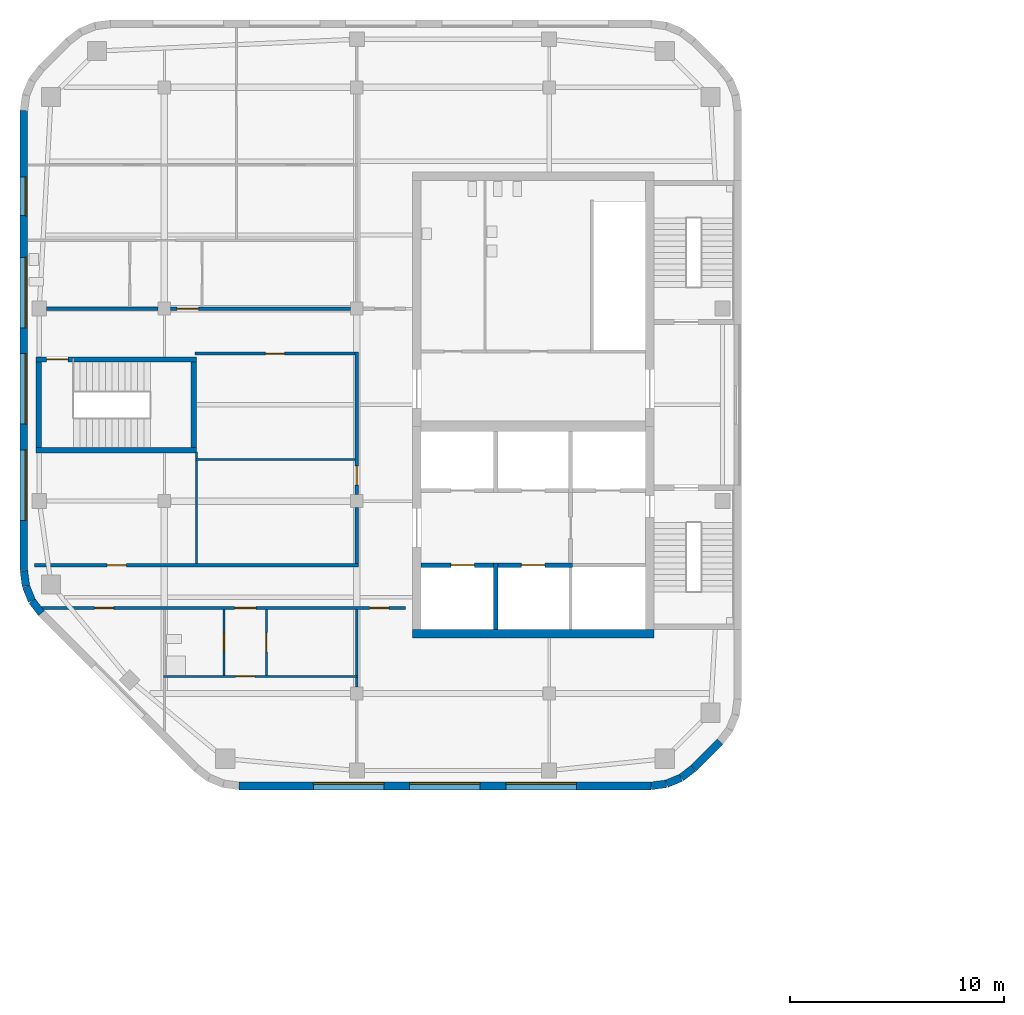
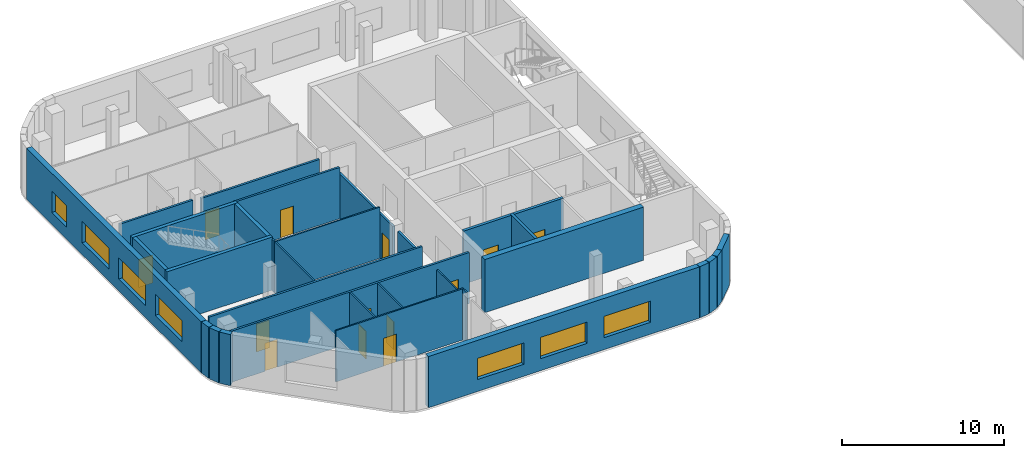
# One storey, part 5 of 14: 32 walls, 13 doors, 7 windows, 20 openings.
"""IFC4 building model written with IfcOpenShell, lengths in metres."""

from ifc_helpers import new_model, si_unit, direction, frame, frame_2d, origin, place, context, subcontext, project, spatial, rectangle, extrude, material, layer, layer_set, type_object, element, fill, save


model = new_model("IFC4")

# Units and contexts
model_context = context("Model", 3, precision=1e-05, world=origin(), true_north=direction((0.0, 1.0)))
body_context = subcontext(model_context, "Body", "Model", "MODEL_VIEW")
ifc_project = project(units=[si_unit("LENGTHUNIT", "METRE"), si_unit("AREAUNIT", "SQUARE_METRE"), si_unit("VOLUMEUNIT", "CUBIC_METRE"), si_unit("PLANEANGLEUNIT", "RADIAN"), si_unit("MASSUNIT", "GRAM", prefix="KILO")], contexts=[model_context])

# Site, building, storey
site_placement = place(None, origin())
site = spatial("IfcSite", under=ifc_project, at=site_placement, CompositionType="ELEMENT")
building_placement = place(site_placement, origin())
building = spatial("IfcBuilding", under=site, at=building_placement, Name="Cinnabar Reach Civic Tower", CompositionType="ELEMENT")
storey_placement = place(building_placement, frame((0.0, 0.0, 116.0)))
storey = spatial("IfcBuildingStorey", under=building, at=storey_placement, Name="L27", CompositionType="ELEMENT", Elevation=116.0)

# Walls
ifc_material_1 = material(Name="Facing brick with insulated backing", Category="masonry")
ifc_layer_1 = layer(ifc_material_1, 0.36)
ifc_layer_set_1 = layer_set([ifc_layer_1], Name="Brick corner wall")
wall_type_1 = type_object("IfcWallType", Name="Brick corner wall", PredefinedType="STANDARD", material=ifc_layer_set_1)
for number, where, z_axis, x_axis, name in (
    (1, (-31.2314, 13.683, 0.0), (0.0, 0.0, 1.0), (0.99144092581, 0.13055608231, 0.0), "Brick corner wall"),
    (2, (-30.5027, 13.7819, 0.0), (0.0, 0.0, 1.0), (0.923871547278, 0.382702709855, 0.0), "Brick corner wall"),
):
    element("IfcWall", number, at=place(storey_placement, frame(where, z_axis=z_axis, x_axis=x_axis)), inside=storey, type_object=wall_type_1, Name=name, PredefinedType="STANDARD", context=body_context, shape_type="SweptSolid", body=[
        extrude(rectangle(XDim=0.7131, YDim=0.36, at=frame_2d((0.3565, 0.0))), origin(), (0.0, 0.0, 1.0), 3.85),
    ])
wall_1_placement = place(storey_placement, frame((-29.8245, 14.066, 0.0), z_axis=(0.0, 0.0, 1.0), x_axis=(0.793321924995, 0.608802368033, 0.0)))
element("IfcWall", 3, at=wall_1_placement, inside=storey, type_object=wall_type_1, Name="Brick corner wall", PredefinedType="STANDARD", context=body_context, shape_type="SweptSolid", body=[
    extrude(rectangle(XDim=0.7132, YDim=0.36, at=frame_2d((0.3566, 0.0))), origin(), (0.0, 0.0, 1.0), 3.85),
])
for number, where, z_axis, x_axis, name in (
    (4, (-60.567, 23.7314, 0.0), (0.0, 0.0, 1.0), (0.13055608231, -0.99144092581, 0.0), "Brick corner wall"),
    (5, (-60.4681, 23.0027, 0.0), (0.0, 0.0, 1.0), (0.382702709855, -0.923871547278, 0.0), "Brick corner wall"),
):
    element("IfcWall", number, at=place(storey_placement, frame(where, z_axis=z_axis, x_axis=x_axis)), inside=storey, type_object=wall_type_1, Name=name, PredefinedType="STANDARD", context=body_context, shape_type="SweptSolid", body=[
        extrude(rectangle(XDim=0.7131, YDim=0.36, at=frame_2d((0.3565, 0.0))), origin(), (0.0, 0.0, 1.0), 3.85),
    ])
wall_2_placement = place(storey_placement, frame((-60.184, 22.3245, 0.0), z_axis=(0.0, 0.0, 1.0), x_axis=(0.608802368033, -0.793321924995, 0.0)))
element("IfcWall", 6, at=wall_2_placement, inside=storey, type_object=wall_type_1, Name="Brick corner wall", PredefinedType="STANDARD", context=body_context, shape_type="SweptSolid", body=[
    extrude(rectangle(XDim=0.7132, YDim=0.36, at=frame_2d((0.3566, 0.0))), origin(), (0.0, 0.0, 1.0), 3.85),
])

# Wall, openings, windows
ifc_layer_2 = layer(ifc_material_1, 0.36)
ifc_layer_set_2 = layer_set([ifc_layer_2], Name="Brick pier and spandrel wall")
wall_type_2 = type_object("IfcWallType", Name="Brick pier and spandrel wall", PredefinedType="STANDARD", material=ifc_layer_set_2)
wall_3_placement = place(storey_placement, frame((-50.5074, 13.68, 0.0), z_axis=(0.0, 0.0, 1.0), x_axis=(1.0, 0.0, 0.0)))
wall_3 = element("IfcWall", 7, at=wall_3_placement, inside=storey, type_object=wall_type_2, Name="Brick facade wall", PredefinedType="STANDARD", context=body_context, shape_type="SweptSolid", body=[
    extrude(rectangle(XDim=19.2648, YDim=0.36, at=frame_2d((9.6324, 0.0))), origin(), (0.0, 0.0, 1.0), 3.85),
])
opening_1_placement = place(wall_3_placement, frame((3.4824, 0.0, 0.9)))
opening_1 = element("IfcOpeningElement", 8, at=opening_1_placement, cuts=wall_3, Name="Opening W2723", PredefinedType="OPENING", context=body_context, shape_type="SweptSolid", body=[
    extrude(rectangle(XDim=3.3, YDim=1.6, at=frame_2d((1.65, 0.8))), frame((0.0, 0.19, 0.0), z_axis=(0.0, -1.0, 0.0), x_axis=(1.0, 0.0, 0.0)), (0.0, 0.0, 1.0), 0.38),
])
opening_2_placement = place(wall_3_placement, frame((7.9824, 0.0, 0.9)))
opening_2 = element("IfcOpeningElement", 9, at=opening_2_placement, cuts=wall_3, Name="Opening W2724", PredefinedType="OPENING", context=body_context, shape_type="SweptSolid", body=[
    extrude(rectangle(XDim=3.3, YDim=1.6, at=frame_2d((1.65, 0.8))), frame((0.0, 0.19, 0.0), z_axis=(0.0, -1.0, 0.0), x_axis=(1.0, 0.0, 0.0)), (0.0, 0.0, 1.0), 0.38),
])
opening_3_placement = place(wall_3_placement, frame((12.4824, 0.0, 0.9)))
opening_3 = element("IfcOpeningElement", 10, at=opening_3_placement, cuts=wall_3, Name="Opening W2725", PredefinedType="OPENING", context=body_context, shape_type="SweptSolid", body=[
    extrude(rectangle(XDim=3.3, YDim=1.6, at=frame_2d((1.65, 0.8))), frame((0.0, 0.19, 0.0), z_axis=(0.0, -1.0, 0.0), x_axis=(1.0, 0.0, 0.0)), (0.0, 0.0, 1.0), 0.38),
])
ifc_material_2 = material(Name="Clear double glazing in aluminium frame", Category="aluminium")
window_type_1 = type_object("IfcWindowType", Name="Deep-set window A", PartitioningType="SINGLE_PANEL", PredefinedType="WINDOW", material=ifc_material_2)
window_1_placement = place(opening_1_placement, origin())
window_1 = element("IfcWindow", 11, at=window_1_placement, inside=storey, type_object=window_type_1, Name="Window south face", OverallHeight=1.6, OverallWidth=3.3, PartitioningType="SINGLE_PANEL", PredefinedType="WINDOW", context=body_context, shape_type="SweptSolid", body=[
    extrude(rectangle(XDim=3.3, YDim=1.6, at=frame_2d((1.65, 0.8))), frame((0.0, 0.13, 0.0), z_axis=(0.0, -1.0, 0.0), x_axis=(1.0, 0.0, 0.0)), (0.0, 0.0, 1.0), 0.06),
])
fill(opening_1, window_1)
window_2_placement = place(opening_2_placement, origin())
window_2 = element("IfcWindow", 12, at=window_2_placement, inside=storey, type_object=window_type_1, Name="Window south face", OverallHeight=1.6, OverallWidth=3.3, PartitioningType="SINGLE_PANEL", PredefinedType="WINDOW", context=body_context, shape_type="SweptSolid", body=[
    extrude(rectangle(XDim=3.3, YDim=1.6, at=frame_2d((1.65, 0.8))), frame((0.0, 0.13, 0.0), z_axis=(0.0, -1.0, 0.0), x_axis=(1.0, 0.0, 0.0)), (0.0, 0.0, 1.0), 0.06),
])
fill(opening_2, window_2)
window_3_placement = place(opening_3_placement, origin())
window_3 = element("IfcWindow", 13, at=window_3_placement, inside=storey, type_object=window_type_1, Name="Window south face", OverallHeight=1.6, OverallWidth=3.3, PartitioningType="SINGLE_PANEL", PredefinedType="WINDOW", context=body_context, shape_type="SweptSolid", body=[
    extrude(rectangle(XDim=3.3, YDim=1.6, at=frame_2d((1.65, 0.8))), frame((0.0, 0.13, 0.0), z_axis=(0.0, -1.0, 0.0), x_axis=(1.0, 0.0, 0.0)), (0.0, 0.0, 1.0), 0.06),
])
fill(opening_3, window_3)

# Wall
wall_4_placement = place(storey_placement, frame((-29.2486, 14.506, 0.0), z_axis=(0.0, 0.0, 1.0), x_axis=(0.707106781187, 0.707106781187, 0.0)))
element("IfcWall", 14, at=wall_4_placement, inside=storey, type_object=wall_type_2, Name="Brick facade wall", PredefinedType="STANDARD", context=body_context, shape_type="SweptSolid", body=[
    extrude(rectangle(XDim=1.7573, YDim=0.36, at=frame_2d((0.8787, 0.0))), origin(), (0.0, 0.0, 1.0), 3.85),
])

# Wall, openings, windows
wall_5_placement = place(storey_placement, frame((-60.57, 45.2574, 0.0), z_axis=(0.0, 0.0, 1.0), x_axis=(0.0, -1.0, 0.0)))
wall_5 = element("IfcWall", 15, at=wall_5_placement, inside=storey, type_object=wall_type_2, Name="Brick facade wall", PredefinedType="STANDARD", context=body_context, shape_type="SweptSolid", body=[
    extrude(rectangle(XDim=21.5148, YDim=0.36, at=frame_2d((10.7574, 0.0))), origin(), (0.0, 0.0, 1.0), 3.85),
])
opening_4_placement = place(wall_5_placement, frame((3.1074, 0.0, 0.9)))
opening_4 = element("IfcOpeningElement", 16, at=opening_4_placement, cuts=wall_5, Name="Opening W2732", PredefinedType="OPENING", context=body_context, shape_type="SweptSolid", body=[
    extrude(rectangle(XDim=1.8, YDim=1.6, at=frame_2d((0.9, 0.8))), frame((0.0, 0.19, 0.0), z_axis=(0.0, -1.0, 0.0), x_axis=(1.0, 0.0, 0.0)), (0.0, 0.0, 1.0), 0.38),
])
opening_5_placement = place(wall_5_placement, frame((6.8574, 0.0, 0.9)))
opening_5 = element("IfcOpeningElement", 17, at=opening_5_placement, cuts=wall_5, Name="Opening W2733", PredefinedType="OPENING", context=body_context, shape_type="SweptSolid", body=[
    extrude(rectangle(XDim=3.3, YDim=1.6, at=frame_2d((1.65, 0.8))), frame((0.0, 0.19, 0.0), z_axis=(0.0, -1.0, 0.0), x_axis=(1.0, 0.0, 0.0)), (0.0, 0.0, 1.0), 0.38),
])
opening_6_placement = place(wall_5_placement, frame((11.3574, 0.0, 0.9)))
opening_6 = element("IfcOpeningElement", 18, at=opening_6_placement, cuts=wall_5, Name="Opening W2734", PredefinedType="OPENING", context=body_context, shape_type="SweptSolid", body=[
    extrude(rectangle(XDim=3.3, YDim=1.6, at=frame_2d((1.65, 0.8))), frame((0.0, 0.19, 0.0), z_axis=(0.0, -1.0, 0.0), x_axis=(1.0, 0.0, 0.0)), (0.0, 0.0, 1.0), 0.38),
])
opening_7_placement = place(wall_5_placement, frame((15.8574, 0.0, 0.9)))
opening_7 = element("IfcOpeningElement", 19, at=opening_7_placement, cuts=wall_5, Name="Opening W2735", PredefinedType="OPENING", context=body_context, shape_type="SweptSolid", body=[
    extrude(rectangle(XDim=3.3, YDim=1.6, at=frame_2d((1.65, 0.8))), frame((0.0, 0.19, 0.0), z_axis=(0.0, -1.0, 0.0), x_axis=(1.0, 0.0, 0.0)), (0.0, 0.0, 1.0), 0.38),
])
window_4_placement = place(opening_5_placement, origin())
window_4 = element("IfcWindow", 20, at=window_4_placement, inside=storey, type_object=window_type_1, Name="Window west face", OverallHeight=1.6, OverallWidth=3.3, PartitioningType="SINGLE_PANEL", PredefinedType="WINDOW", context=body_context, shape_type="SweptSolid", body=[
    extrude(rectangle(XDim=3.3, YDim=1.6, at=frame_2d((1.65, 0.8))), frame((0.0, 0.13, 0.0), z_axis=(0.0, -1.0, 0.0), x_axis=(1.0, 0.0, 0.0)), (0.0, 0.0, 1.0), 0.06),
])
fill(opening_5, window_4)
window_5_placement = place(opening_6_placement, origin())
window_5 = element("IfcWindow", 21, at=window_5_placement, inside=storey, type_object=window_type_1, Name="Window west face", OverallHeight=1.6, OverallWidth=3.3, PartitioningType="SINGLE_PANEL", PredefinedType="WINDOW", context=body_context, shape_type="SweptSolid", body=[
    extrude(rectangle(XDim=3.3, YDim=1.6, at=frame_2d((1.65, 0.8))), frame((0.0, 0.13, 0.0), z_axis=(0.0, -1.0, 0.0), x_axis=(1.0, 0.0, 0.0)), (0.0, 0.0, 1.0), 0.06),
])
fill(opening_6, window_5)
window_6_placement = place(opening_7_placement, origin())
window_6 = element("IfcWindow", 22, at=window_6_placement, inside=storey, type_object=window_type_1, Name="Window west face", OverallHeight=1.6, OverallWidth=3.3, PartitioningType="SINGLE_PANEL", PredefinedType="WINDOW", context=body_context, shape_type="SweptSolid", body=[
    extrude(rectangle(XDim=3.3, YDim=1.6, at=frame_2d((1.65, 0.8))), frame((0.0, 0.13, 0.0), z_axis=(0.0, -1.0, 0.0), x_axis=(1.0, 0.0, 0.0)), (0.0, 0.0, 1.0), 0.06),
])
fill(opening_7, window_6)
window_type_2 = type_object("IfcWindowType", Name="Deep-set window D", PartitioningType="SINGLE_PANEL", PredefinedType="WINDOW", material=ifc_material_2)
window_7_placement = place(opening_4_placement, origin())
window_7 = element("IfcWindow", 23, at=window_7_placement, inside=storey, type_object=window_type_2, Name="Window west face", OverallHeight=1.6, OverallWidth=1.8, PartitioningType="SINGLE_PANEL", PredefinedType="WINDOW", context=body_context, shape_type="SweptSolid", body=[
    extrude(rectangle(XDim=1.8, YDim=1.6, at=frame_2d((0.9, 0.8))), frame((0.0, 0.13, 0.0), z_axis=(0.0, -1.0, 0.0), x_axis=(1.0, 0.0, 0.0)), (0.0, 0.0, 1.0), 0.06),
])
fill(opening_4, window_7)

# Wall
ifc_material_3 = material(Name="Concrete C60", Category="concrete")
ifc_layer_3 = layer(ifc_material_3, 0.4)
ifc_layer_set_3 = layer_set([ifc_layer_3], Name="Core wall 400 EI 180")
wall_type_3 = type_object("IfcWallType", Name="Core wall 400 EI 180", PredefinedType="SOLIDWALL", material=ifc_layer_set_3)
wall_6_placement = place(storey_placement, frame((-42.4, 20.8, 0.0), z_axis=(0.0, 0.0, 1.0), x_axis=(1.0, 0.0, 0.0)))
element("IfcWall", 24, at=wall_6_placement, inside=storey, type_object=wall_type_3, Name="Core wall T2 L27 S", PredefinedType="SOLIDWALL", context=body_context, shape_type="SweptSolid", body=[
    extrude(rectangle(XDim=11.3, YDim=0.4, at=frame_2d((5.65, 0.0))), origin(), (0.0, 0.0, 1.0), 4.0),
])

# Wall, opening, door
ifc_material_4 = material(Name="Gypsum board on steel studs, double layer", Category="steel")
ifc_layer_4 = layer(ifc_material_4, 0.15)
ifc_layer_set_4 = layer_set([ifc_layer_4], Name="Corridor wall 150 T2")
wall_type_4 = type_object("IfcWallType", Name="Corridor wall 150 T2", PredefinedType="PARTITIONING", material=ifc_layer_set_4)
wall_7_placement = place(storey_placement, frame((-53.7, 36.0, 0.0), z_axis=(0.0, 0.0, 1.0), x_axis=(1.0, 0.0, 0.0)))
wall_7 = element("IfcWall", 25, at=wall_7_placement, inside=storey, type_object=wall_type_4, Name="Corridor wall 2", PredefinedType="PARTITIONING", context=body_context, shape_type="SweptSolid", body=[
    extrude(rectangle(XDim=8.4, YDim=0.15, at=frame_2d((4.2, 0.0))), origin(), (0.0, 0.0, 1.0), 3.262),
])
opening_8_placement = place(wall_7_placement, frame((0.3, 0.0, 0.0)))
opening_8 = element("IfcOpeningElement", 26, at=opening_8_placement, cuts=wall_7, Name="Opening D7003", PredefinedType="OPENING", context=body_context, shape_type="SweptSolid", body=[
    extrude(rectangle(XDim=1.0, YDim=2.1, at=frame_2d((0.5, 1.05))), frame((0.0, 0.085, 0.0), z_axis=(0.0, -1.0, 0.0), x_axis=(1.0, 0.0, 0.0)), (0.0, 0.0, 1.0), 0.17),
])
ifc_material_5 = material(Name="Timber door leaf in steel frame", Category="steel")
door_type_1 = type_object("IfcDoorType", Name="Tenancy entrance door 1000 x 2100 T2", OperationType="SINGLE_SWING_LEFT", PredefinedType="DOOR", material=ifc_material_5)
door_1_placement = place(opening_8_placement, origin())
door_1 = element("IfcDoor", 27, at=door_1_placement, inside=storey, type_object=door_type_1, Name="Door D7003", OperationType="SINGLE_SWING_RIGHT", OverallHeight=2.1, OverallWidth=1.0, PredefinedType="DOOR", context=body_context, shape_type="SweptSolid", body=[
    extrude(rectangle(XDim=1.0, YDim=2.1, at=frame_2d((0.5, 1.05))), frame((0.0, 0.025, 0.0), z_axis=(0.0, -1.0, 0.0), x_axis=(1.0, 0.0, 0.0)), (0.0, 0.0, 1.0), 0.05),
])
fill(opening_8, door_1)

# Wall
wall_8_placement = place(storey_placement, frame((-59.5, 36.0, 0.0), z_axis=(0.0, 0.0, 1.0), x_axis=(1.0, 0.0, 0.0)))
element("IfcWall", 28, at=wall_8_placement, inside=storey, type_object=wall_type_4, Name="Corridor wall 3", PredefinedType="PARTITIONING", context=body_context, shape_type="SweptSolid", body=[
    extrude(rectangle(XDim=5.2, YDim=0.15, at=frame_2d((2.6, 0.0))), origin(), (0.0, 0.0, 1.0), 3.35),
])

# Wall, openings, doors
wall_9_placement = place(storey_placement, frame((-59.7657, 22.0, 0.0), z_axis=(0.0, 0.0, 1.0), x_axis=(1.0, 0.0, 0.0)))
wall_9 = element("IfcWall", 29, at=wall_9_placement, inside=storey, type_object=wall_type_4, Name="Corridor wall 4", PredefinedType="PARTITIONING", context=body_context, shape_type="SweptSolid", body=[
    extrude(rectangle(XDim=17.0407, YDim=0.15, at=frame_2d((8.5204, 0.0))), origin(), (0.0, 0.0, 1.0), 3.85),
])
opening_9_placement = place(wall_9_placement, frame((15.3657, 0.0, 0.0)))
opening_9 = element("IfcOpeningElement", 30, at=opening_9_placement, cuts=wall_9, Name="Opening D6991", PredefinedType="OPENING", context=body_context, shape_type="SweptSolid", body=[
    extrude(rectangle(XDim=0.9, YDim=2.1, at=frame_2d((0.45, 1.05))), frame((0.0, 0.085, 0.0), z_axis=(0.0, -1.0, 0.0), x_axis=(1.0, 0.0, 0.0)), (0.0, 0.0, 1.0), 0.17),
])
opening_10_placement = place(wall_9_placement, frame((2.5, 0.0, 0.0)))
opening_10 = element("IfcOpeningElement", 31, at=opening_10_placement, cuts=wall_9, Name="Opening D6992", PredefinedType="OPENING", context=body_context, shape_type="SweptSolid", body=[
    extrude(rectangle(XDim=0.9, YDim=2.1, at=frame_2d((0.45, 1.05))), frame((0.0, 0.085, 0.0), z_axis=(0.0, -1.0, 0.0), x_axis=(1.0, 0.0, 0.0)), (0.0, 0.0, 1.0), 0.17),
])
opening_11_placement = place(wall_9_placement, frame((9.0557, 0.0, 0.0)))
opening_11 = element("IfcOpeningElement", 32, at=opening_11_placement, cuts=wall_9, Name="Opening D6996", PredefinedType="OPENING", context=body_context, shape_type="SweptSolid", body=[
    extrude(rectangle(XDim=1.0, YDim=2.1, at=frame_2d((0.5, 1.05))), frame((0.0, 0.085, 0.0), z_axis=(0.0, -1.0, 0.0), x_axis=(1.0, 0.0, 0.0)), (0.0, 0.0, 1.0), 0.17),
])
door_type_2 = type_object("IfcDoorType", Name="Single swing door 900 x 2100 T2", OperationType="SINGLE_SWING_LEFT", PredefinedType="DOOR", material=ifc_material_5)
door_2_placement = place(opening_9_placement, frame((0.9, 0.0, 0.0), z_axis=(0.0, 0.0, 1.0), x_axis=(-1.0, 0.0, 0.0)))
door_2 = element("IfcDoor", 33, at=door_2_placement, inside=storey, type_object=door_type_2, Name="Door D6991", OperationType="SINGLE_SWING_RIGHT", OverallHeight=2.1, OverallWidth=0.9, PredefinedType="DOOR", context=body_context, shape_type="SweptSolid", body=[
    extrude(rectangle(XDim=0.9, YDim=2.1, at=frame_2d((0.45, 1.05))), frame((0.0, 0.025, 0.0), z_axis=(0.0, -1.0, 0.0), x_axis=(1.0, 0.0, 0.0)), (0.0, 0.0, 1.0), 0.05),
])
fill(opening_9, door_2)
door_3_placement = place(opening_10_placement, frame((0.9, 0.0, 0.0), z_axis=(0.0, 0.0, 1.0), x_axis=(-1.0, 0.0, 0.0)))
door_3 = element("IfcDoor", 34, at=door_3_placement, inside=storey, type_object=door_type_2, Name="Door D6992", OperationType="SINGLE_SWING_RIGHT", OverallHeight=2.1, OverallWidth=0.9, PredefinedType="DOOR", context=body_context, shape_type="SweptSolid", body=[
    extrude(rectangle(XDim=0.9, YDim=2.1, at=frame_2d((0.45, 1.05))), frame((0.0, 0.025, 0.0), z_axis=(0.0, -1.0, 0.0), x_axis=(1.0, 0.0, 0.0)), (0.0, 0.0, 1.0), 0.05),
])
fill(opening_10, door_3)
door_4_placement = place(opening_11_placement, frame((1.0, 0.0, 0.0), z_axis=(0.0, 0.0, 1.0), x_axis=(-1.0, 0.0, 0.0)))
door_4 = element("IfcDoor", 35, at=door_4_placement, inside=storey, type_object=door_type_1, Name="Door D6996", OperationType="SINGLE_SWING_LEFT", OverallHeight=2.1, OverallWidth=1.0, PredefinedType="DOOR", context=body_context, shape_type="SweptSolid", body=[
    extrude(rectangle(XDim=1.0, YDim=2.1, at=frame_2d((0.5, 1.05))), frame((0.0, 0.025, 0.0), z_axis=(0.0, -1.0, 0.0), x_axis=(1.0, 0.0, 0.0)), (0.0, 0.0, 1.0), 0.05),
])
fill(opening_11, door_4)

# Wall, opening, door
wall_10_placement = place(storey_placement, frame((-60.075, 24.0, 0.0), z_axis=(0.0, 0.0, 1.0), x_axis=(1.0, 0.0, 0.0)))
wall_10 = element("IfcWall", 36, at=wall_10_placement, inside=storey, type_object=wall_type_4, Name="Corridor wall 5", PredefinedType="PARTITIONING", context=body_context, shape_type="SweptSolid", body=[
    extrude(rectangle(XDim=15.15, YDim=0.15, at=frame_2d((7.575, 0.0))), origin(), (0.0, 0.0, 1.0), 3.85),
])
opening_12_placement = place(wall_10_placement, frame((3.4, 0.0, 0.0)))
opening_12 = element("IfcOpeningElement", 37, at=opening_12_placement, cuts=wall_10, Name="Opening D7004", PredefinedType="OPENING", context=body_context, shape_type="SweptSolid", body=[
    extrude(rectangle(XDim=0.9, YDim=2.1, at=frame_2d((0.45, 1.05))), frame((0.0, 0.085, 0.0), z_axis=(0.0, -1.0, 0.0), x_axis=(1.0, 0.0, 0.0)), (0.0, 0.0, 1.0), 0.17),
])
door_5_placement = place(opening_12_placement, origin())
door_5 = element("IfcDoor", 38, at=door_5_placement, inside=storey, type_object=door_type_2, Name="Door D7004", OperationType="SINGLE_SWING_RIGHT", OverallHeight=2.1, OverallWidth=0.9, PredefinedType="DOOR", context=body_context, shape_type="SweptSolid", body=[
    extrude(rectangle(XDim=0.9, YDim=2.1, at=frame_2d((0.45, 1.05))), frame((0.0, 0.025, 0.0), z_axis=(0.0, -1.0, 0.0), x_axis=(1.0, 0.0, 0.0)), (0.0, 0.0, 1.0), 0.05),
])
fill(opening_12, door_5)

# Wall
wall_11_placement = place(storey_placement, frame((-45.0, 24.075, 0.0), z_axis=(0.0, 0.0, 1.0), x_axis=(0.0, 1.0, 0.0)))
element("IfcWall", 39, at=wall_11_placement, inside=storey, type_object=wall_type_4, Name="Corridor wall 6", PredefinedType="PARTITIONING", context=body_context, shape_type="SweptSolid", body=[
    extrude(rectangle(XDim=2.625, YDim=0.15, at=frame_2d((1.3125, 0.0))), origin(), (0.0, 0.0, 1.0), 3.362),
])

# Wall, opening, door
wall_12_placement = place(storey_placement, frame((-45.0, 27.3, 0.0), z_axis=(0.0, 0.0, 1.0), x_axis=(0.0, 1.0, 0.0)))
wall_12 = element("IfcWall", 40, at=wall_12_placement, inside=storey, type_object=wall_type_4, Name="Corridor wall 7", PredefinedType="PARTITIONING", context=body_context, shape_type="SweptSolid", body=[
    extrude(rectangle(XDim=6.675, YDim=0.15, at=frame_2d((3.3375, 0.0))), origin(), (0.0, 0.0, 1.0), 3.362),
])
opening_13_placement = place(wall_12_placement, frame((0.45, 0.0, 0.0)))
opening_13 = element("IfcOpeningElement", 41, at=opening_13_placement, cuts=wall_12, Name="Opening D7005", PredefinedType="OPENING", context=body_context, shape_type="SweptSolid", body=[
    extrude(rectangle(XDim=0.9, YDim=2.1, at=frame_2d((0.45, 1.05))), frame((0.0, 0.085, 0.0), z_axis=(0.0, -1.0, 0.0), x_axis=(1.0, 0.0, 0.0)), (0.0, 0.0, 1.0), 0.17),
])
door_6_placement = place(opening_13_placement, origin())
door_6 = element("IfcDoor", 42, at=door_6_placement, inside=storey, type_object=door_type_2, Name="Door D7005", OperationType="SINGLE_SWING_RIGHT", OverallHeight=2.1, OverallWidth=0.9, PredefinedType="DOOR", context=body_context, shape_type="SweptSolid", body=[
    extrude(rectangle(XDim=0.9, YDim=2.1, at=frame_2d((0.45, 1.05))), frame((0.0, 0.025, 0.0), z_axis=(0.0, -1.0, 0.0), x_axis=(1.0, 0.0, 0.0)), (0.0, 0.0, 1.0), 0.05),
])
fill(opening_13, door_6)

wall_13_placement = place(storey_placement, frame((-52.575, 33.9, 0.0), z_axis=(0.0, 0.0, 1.0), x_axis=(1.0, 0.0, 0.0)))
wall_13 = element("IfcWall", 43, at=wall_13_placement, inside=storey, type_object=wall_type_4, Name="Corridor wall 8", PredefinedType="PARTITIONING", context=body_context, shape_type="SweptSolid", body=[
    extrude(rectangle(XDim=7.5, YDim=0.15, at=frame_2d((3.75, 0.0))), origin(), (0.0, 0.0, 1.0), 3.85),
])
opening_14_placement = place(wall_13_placement, frame((3.3, 0.0, 0.0)))
opening_14 = element("IfcOpeningElement", 44, at=opening_14_placement, cuts=wall_13, Name="Opening D7006", PredefinedType="OPENING", context=body_context, shape_type="SweptSolid", body=[
    extrude(rectangle(XDim=0.9, YDim=2.1, at=frame_2d((0.45, 1.05))), frame((0.0, 0.085, 0.0), z_axis=(0.0, -1.0, 0.0), x_axis=(1.0, 0.0, 0.0)), (0.0, 0.0, 1.0), 0.17),
])
door_7_placement = place(opening_14_placement, frame((0.9, 0.0, 0.0), z_axis=(0.0, 0.0, 1.0), x_axis=(-1.0, 0.0, 0.0)))
door_7 = element("IfcDoor", 45, at=door_7_placement, inside=storey, type_object=door_type_2, Name="Door D7006", OperationType="SINGLE_SWING_RIGHT", OverallHeight=2.1, OverallWidth=0.9, PredefinedType="DOOR", context=body_context, shape_type="SweptSolid", body=[
    extrude(rectangle(XDim=0.9, YDim=2.1, at=frame_2d((0.45, 1.05))), frame((0.0, 0.025, 0.0), z_axis=(0.0, -1.0, 0.0), x_axis=(1.0, 0.0, 0.0)), (0.0, 0.0, 1.0), 0.05),
])
fill(opening_14, door_7)

ifc_material_6 = material(Name="Gypsum board on steel studs", Category="steel")
ifc_layer_5 = layer(ifc_material_6, 0.1)
ifc_layer_set_5 = layer_set([ifc_layer_5], Name="Partition wall 100 T2")
wall_type_5 = type_object("IfcWallType", Name="Partition wall 100 T2", PredefinedType="PARTITIONING", material=ifc_layer_set_5)
wall_14_placement = place(storey_placement, frame((-54.05, 18.8, 0.0), z_axis=(0.0, 0.0, 1.0), x_axis=(1.0, 0.0, 0.0)))
wall_14 = element("IfcWall", 46, at=wall_14_placement, inside=storey, type_object=wall_type_5, Name="Partition wall 17", PredefinedType="PARTITIONING", context=body_context, shape_type="SweptSolid", body=[
    extrude(rectangle(XDim=9.1, YDim=0.1, at=frame_2d((4.55, 0.0))), origin(), (0.0, 0.0, 1.0), 3.85),
])
opening_15_placement = place(wall_14_placement, frame((3.39, 0.0, 0.0)))
opening_15 = element("IfcOpeningElement", 47, at=opening_15_placement, cuts=wall_14, Name="Opening D6995", PredefinedType="OPENING", context=body_context, shape_type="SweptSolid", body=[
    extrude(rectangle(XDim=0.9, YDim=2.1, at=frame_2d((0.45, 1.05))), frame((0.0, 0.06, 0.0), z_axis=(0.0, -1.0, 0.0), x_axis=(1.0, 0.0, 0.0)), (0.0, 0.0, 1.0), 0.12),
])
door_8_placement = place(opening_15_placement, origin())
door_8 = element("IfcDoor", 48, at=door_8_placement, inside=storey, type_object=door_type_2, Name="Door D6995", OperationType="SINGLE_SWING_RIGHT", OverallHeight=2.1, OverallWidth=0.9, PredefinedType="DOOR", context=body_context, shape_type="SweptSolid", body=[
    extrude(rectangle(XDim=0.9, YDim=2.1, at=frame_2d((0.45, 1.05))), frame((0.0, 0.025, 0.0), z_axis=(0.0, -1.0, 0.0), x_axis=(1.0, 0.0, 0.0)), (0.0, 0.0, 1.0), 0.05),
])
fill(opening_15, door_8)

# Walls
wall_15_placement = place(storey_placement, frame((-45.0, 18.85, 0.0), z_axis=(0.0, 0.0, 1.0), x_axis=(0.0, 1.0, 0.0)))
element("IfcWall", 49, at=wall_15_placement, inside=storey, type_object=wall_type_5, Name="Partition wall 18", PredefinedType="PARTITIONING", context=body_context, shape_type="SweptSolid", body=[
    extrude(rectangle(XDim=3.075, YDim=0.1, at=frame_2d((1.5375, 0.0))), origin(), (0.0, 0.0, 1.0), 3.362),
])
wall_16_placement = place(storey_placement, frame((-45.0, 18.3, 0.0), z_axis=(0.0, 0.0, 1.0), x_axis=(0.0, 1.0, 0.0)))
element("IfcWall", 50, at=wall_16_placement, inside=storey, type_object=wall_type_5, Name="Partition wall 19", PredefinedType="PARTITIONING", context=body_context, shape_type="SweptSolid", body=[
    extrude(rectangle(XDim=0.45, YDim=0.1, at=frame_2d((0.225, 0.0))), origin(), (0.0, 0.0, 1.0), 3.85),
])
wall_17_placement = place(storey_placement, frame((-52.55, 28.95, 0.0), z_axis=(0.0, 0.0, 1.0), x_axis=(1.0, 0.0, 0.0)))
element("IfcWall", 51, at=wall_17_placement, inside=storey, type_object=wall_type_5, Name="Partition wall 21", PredefinedType="PARTITIONING", context=body_context, shape_type="SweptSolid", body=[
    extrude(rectangle(XDim=7.475, YDim=0.1, at=frame_2d((3.7375, 0.0))), origin(), (0.0, 0.0, 1.0), 3.85),
])
wall_18_placement = place(storey_placement, frame((-52.5, 29.0, 0.0), z_axis=(0.0, 0.0, 1.0), x_axis=(0.0, 1.0, 0.0)))
element("IfcWall", 52, at=wall_18_placement, inside=storey, type_object=wall_type_5, Name="Partition wall 24", PredefinedType="PARTITIONING", context=body_context, shape_type="SweptSolid", body=[
    extrude(rectangle(XDim=0.3, YDim=0.1, at=frame_2d((0.15, 0.0))), origin(), (0.0, 0.0, 1.0), 3.85),
])
wall_19_placement = place(storey_placement, frame((-52.5, 24.075, 0.0), z_axis=(0.0, 0.0, 1.0), x_axis=(0.0, 1.0, 0.0)))
element("IfcWall", 53, at=wall_19_placement, inside=storey, type_object=wall_type_5, Name="Partition wall 25", PredefinedType="PARTITIONING", context=body_context, shape_type="SweptSolid", body=[
    extrude(rectangle(XDim=4.825, YDim=0.1, at=frame_2d((2.4125, 0.0))), origin(), (0.0, 0.0, 1.0), 3.85),
])

# Wall, opening, door
wall_20_placement = place(storey_placement, frame((-51.21, 18.85, 0.0), z_axis=(0.0, 0.0, 1.0), x_axis=(0.0, 1.0, 0.0)))
wall_20 = element("IfcWall", 54, at=wall_20_placement, inside=storey, type_object=wall_type_5, Name="Partition wall 28", PredefinedType="PARTITIONING", context=body_context, shape_type="SweptSolid", body=[
    extrude(rectangle(XDim=3.075, YDim=0.1, at=frame_2d((1.5375, 0.0))), origin(), (0.0, 0.0, 1.0), 3.85),
])
opening_16_placement = place(wall_20_placement, frame((1.1, 0.0, 0.0)))
opening_16 = element("IfcOpeningElement", 55, at=opening_16_placement, cuts=wall_20, Name="Opening D6993", PredefinedType="OPENING", context=body_context, shape_type="SweptSolid", body=[
    extrude(rectangle(XDim=0.9, YDim=2.1, at=frame_2d((0.45, 1.05))), frame((0.0, 0.06, 0.0), z_axis=(0.0, -1.0, 0.0), x_axis=(1.0, 0.0, 0.0)), (0.0, 0.0, 1.0), 0.12),
])
door_9_placement = place(opening_16_placement, origin())
door_9 = element("IfcDoor", 56, at=door_9_placement, inside=storey, type_object=door_type_2, Name="Door D6993", OperationType="SINGLE_SWING_LEFT", OverallHeight=2.1, OverallWidth=0.9, PredefinedType="DOOR", context=body_context, shape_type="SweptSolid", body=[
    extrude(rectangle(XDim=0.9, YDim=2.1, at=frame_2d((0.45, 1.05))), frame((0.0, 0.025, 0.0), z_axis=(0.0, -1.0, 0.0), x_axis=(1.0, 0.0, 0.0)), (0.0, 0.0, 1.0), 0.05),
])
fill(opening_16, door_9)

wall_21_placement = place(storey_placement, frame((-49.23, 18.85, 0.0), z_axis=(0.0, 0.0, 1.0), x_axis=(0.0, 1.0, 0.0)))
wall_21 = element("IfcWall", 57, at=wall_21_placement, inside=storey, type_object=wall_type_5, Name="Partition wall 29", PredefinedType="PARTITIONING", context=body_context, shape_type="SweptSolid", body=[
    extrude(rectangle(XDim=3.075, YDim=0.1, at=frame_2d((1.5375, 0.0))), origin(), (0.0, 0.0, 1.0), 3.85),
])
opening_17_placement = place(wall_21_placement, frame((1.1, 0.0, 0.0)))
opening_17 = element("IfcOpeningElement", 58, at=opening_17_placement, cuts=wall_21, Name="Opening D6994", PredefinedType="OPENING", context=body_context, shape_type="SweptSolid", body=[
    extrude(rectangle(XDim=0.9, YDim=2.1, at=frame_2d((0.45, 1.05))), frame((0.0, 0.06, 0.0), z_axis=(0.0, -1.0, 0.0), x_axis=(1.0, 0.0, 0.0)), (0.0, 0.0, 1.0), 0.12),
])
door_10_placement = place(opening_17_placement, origin())
door_10 = element("IfcDoor", 59, at=door_10_placement, inside=storey, type_object=door_type_2, Name="Door D6994", OperationType="SINGLE_SWING_LEFT", OverallHeight=2.1, OverallWidth=0.9, PredefinedType="DOOR", context=body_context, shape_type="SweptSolid", body=[
    extrude(rectangle(XDim=0.9, YDim=2.1, at=frame_2d((0.45, 1.05))), frame((0.0, 0.025, 0.0), z_axis=(0.0, -1.0, 0.0), x_axis=(1.0, 0.0, 0.0)), (0.0, 0.0, 1.0), 0.05),
])
fill(opening_17, door_10)

# Wall
ifc_layer_6 = layer(ifc_material_3, 0.25)
ifc_layer_set_6 = layer_set([ifc_layer_6], Name="Stair shaft wall 250 EI 120")
wall_type_6 = type_object("IfcWallType", Name="Stair shaft wall 250 EI 120", PredefinedType="SOLIDWALL", material=ifc_layer_set_6)
wall_22_placement = place(storey_placement, frame((-60.0, 29.375, 0.0), z_axis=(0.0, 0.0, 1.0), x_axis=(1.0, 0.0, 0.0)))
element("IfcWall", 60, at=wall_22_placement, inside=storey, type_object=wall_type_6, Name="Stair shaft wall T2-S3 L27", PredefinedType="SOLIDWALL", context=body_context, shape_type="SweptSolid", body=[
    extrude(rectangle(XDim=7.5, YDim=0.25, at=frame_2d((3.75, 0.0))), origin(), (0.0, 0.0, 1.0), 4.0),
])

# Wall, opening, door
wall_23_placement = place(storey_placement, frame((-52.5, 33.625, 0.0), z_axis=(0.0, 0.0, 1.0), x_axis=(-1.0, 0.0, 0.0)))
wall_23 = element("IfcWall", 61, at=wall_23_placement, inside=storey, type_object=wall_type_6, Name="Stair shaft wall T2-S3 L27", PredefinedType="SOLIDWALL", context=body_context, shape_type="SweptSolid", body=[
    extrude(rectangle(XDim=7.5, YDim=0.25, at=frame_2d((3.75, 0.0))), origin(), (0.0, 0.0, 1.0), 4.0),
])
opening_18_placement = place(wall_23_placement, frame((6.0, 0.0, 0.0)))
opening_18 = element("IfcOpeningElement", 62, at=opening_18_placement, cuts=wall_23, Name="Opening D7007", PredefinedType="OPENING", context=body_context, shape_type="SweptSolid", body=[
    extrude(rectangle(XDim=1.0, YDim=2.1, at=frame_2d((0.5, 1.05))), frame((0.0, 0.135, 0.0), z_axis=(0.0, -1.0, 0.0), x_axis=(1.0, 0.0, 0.0)), (0.0, 0.0, 1.0), 0.27),
])
door_type_3 = type_object("IfcDoorType", Name="Stair door 1000 x 2100 T2", OperationType="SINGLE_SWING_LEFT", PredefinedType="DOOR", material=ifc_material_5)
door_11_placement = place(opening_18_placement, origin())
door_11 = element("IfcDoor", 63, at=door_11_placement, inside=storey, type_object=door_type_3, Name="Door D7007", OperationType="SINGLE_SWING_RIGHT", OverallHeight=2.1, OverallWidth=1.0, PredefinedType="DOOR", context=body_context, shape_type="SweptSolid", body=[
    extrude(rectangle(XDim=1.0, YDim=2.1, at=frame_2d((0.5, 1.05))), frame((0.0, 0.025, 0.0), z_axis=(0.0, -1.0, 0.0), x_axis=(1.0, 0.0, 0.0)), (0.0, 0.0, 1.0), 0.05),
])
fill(opening_18, door_11)

# Walls
for number, where, z_axis, x_axis, name in (
    (64, (-52.625, 29.5, 0.0), (0.0, 0.0, 1.0), (0.0, 1.0, 0.0), "Stair shaft wall T2-S3 L27"),
    (65, (-59.875, 33.5, 0.0), (0.0, 0.0, 1.0), (0.0, -1.0, 0.0), "Stair shaft wall T2-S3 L27"),
):
    element("IfcWall", number, at=place(storey_placement, frame(where, z_axis=z_axis, x_axis=x_axis)), inside=storey, type_object=wall_type_6, Name=name, PredefinedType="SOLIDWALL", context=body_context, shape_type="SweptSolid", body=[
        extrude(rectangle(XDim=4.0, YDim=0.25, at=frame_2d((2.0, 0.0))), origin(), (0.0, 0.0, 1.0), 4.0),
    ])
ifc_material_7 = material(Name="Concrete C40", Category="concrete")
ifc_layer_7 = layer(ifc_material_7, 0.2)
ifc_layer_set_7 = layer_set([ifc_layer_7], Name="T2 Shaft wall 200")
wall_type_7 = type_object("IfcWallType", Name="T2 Shaft wall 200", PredefinedType="SOLIDWALL", material=ifc_layer_set_7)
wall_24_placement = place(storey_placement, frame((-38.5, 21.0, 0.0), z_axis=(0.0, 0.0, 1.0), x_axis=(0.0, 1.0, 0.0)))
element("IfcWall", 66, at=wall_24_placement, inside=storey, type_object=wall_type_7, Name="T2 Shaft wall L27 001", PredefinedType="SOLIDWALL", context=body_context, shape_type="SweptSolid", body=[
    extrude(rectangle(XDim=3.1, YDim=0.2, at=frame_2d((1.55, 0.0))), origin(), (0.0, 0.0, 1.0), 4.0),
])

# Wall, opening, door
wall_25_placement = place(storey_placement, frame((-38.6, 24.0, 0.0), z_axis=(0.0, 0.0, 1.0), x_axis=(-1.0, 0.0, 0.0)))
wall_25 = element("IfcWall", 67, at=wall_25_placement, inside=storey, type_object=wall_type_7, Name="T2 Shaft wall L27 002", PredefinedType="SOLIDWALL", context=body_context, shape_type="SweptSolid", body=[
    extrude(rectangle(XDim=3.4, YDim=0.2, at=frame_2d((1.7, 0.0))), origin(), (0.0, 0.0, 1.0), 4.0),
])
opening_19_placement = place(wall_25_placement, frame((0.9, 0.0, 0.0)))
opening_19 = element("IfcOpeningElement", 68, at=opening_19_placement, cuts=wall_25, Name="Opening D6976", PredefinedType="OPENING", context=body_context, shape_type="SweptSolid", body=[
    extrude(rectangle(XDim=1.1, YDim=2.1, at=frame_2d((0.55, 1.05))), frame((0.0, 0.11, 0.0), z_axis=(0.0, -1.0, 0.0), x_axis=(1.0, 0.0, 0.0)), (0.0, 0.0, 1.0), 0.22),
])
ifc_material_8 = material(Name="Steel fire door", Category="steel")
door_type_4 = type_object("IfcDoorType", Name="T2 Lift landing door 1100", OperationType="SLIDING_TO_LEFT", PredefinedType="DOOR", material=ifc_material_8)
door_12_placement = place(opening_19_placement, origin())
door_12 = element("IfcDoor", 69, at=door_12_placement, inside=storey, type_object=door_type_4, Name="T2 Lift landing door D6976", OperationType="SLIDING_TO_LEFT", OverallHeight=2.1, OverallWidth=1.1, PredefinedType="DOOR", context=body_context, shape_type="SweptSolid", body=[
    extrude(rectangle(XDim=1.1, YDim=2.1, at=frame_2d((0.55, 1.05))), frame((0.0, 0.025, 0.0), z_axis=(0.0, -1.0, 0.0), x_axis=(1.0, 0.0, 0.0)), (0.0, 0.0, 1.0), 0.05),
])
fill(opening_19, door_12)

wall_26_placement = place(storey_placement, frame((-34.9, 24.0, 0.0), z_axis=(0.0, 0.0, 1.0), x_axis=(-1.0, 0.0, 0.0)))
wall_26 = element("IfcWall", 70, at=wall_26_placement, inside=storey, type_object=wall_type_7, Name="T2 Shaft wall L27 003", PredefinedType="SOLIDWALL", context=body_context, shape_type="SweptSolid", body=[
    extrude(rectangle(XDim=3.5, YDim=0.2, at=frame_2d((1.75, 0.0))), origin(), (0.0, 0.0, 1.0), 4.0),
])
opening_20_placement = place(wall_26_placement, frame((1.3, 0.0, 0.0)))
opening_20 = element("IfcOpeningElement", 71, at=opening_20_placement, cuts=wall_26, Name="Opening D6977", PredefinedType="OPENING", context=body_context, shape_type="SweptSolid", body=[
    extrude(rectangle(XDim=1.1, YDim=2.1, at=frame_2d((0.55, 1.05))), frame((0.0, 0.11, 0.0), z_axis=(0.0, -1.0, 0.0), x_axis=(1.0, 0.0, 0.0)), (0.0, 0.0, 1.0), 0.22),
])
door_13_placement = place(opening_20_placement, origin())
door_13 = element("IfcDoor", 72, at=door_13_placement, inside=storey, type_object=door_type_4, Name="T2 Lift landing door D6977", OperationType="SLIDING_TO_LEFT", OverallHeight=2.1, OverallWidth=1.1, PredefinedType="DOOR", context=body_context, shape_type="SweptSolid", body=[
    extrude(rectangle(XDim=1.1, YDim=2.1, at=frame_2d((0.55, 1.05))), frame((0.0, 0.025, 0.0), z_axis=(0.0, -1.0, 0.0), x_axis=(1.0, 0.0, 0.0)), (0.0, 0.0, 1.0), 0.05),
])
fill(opening_20, door_13)

save(model, "model.ifc")
